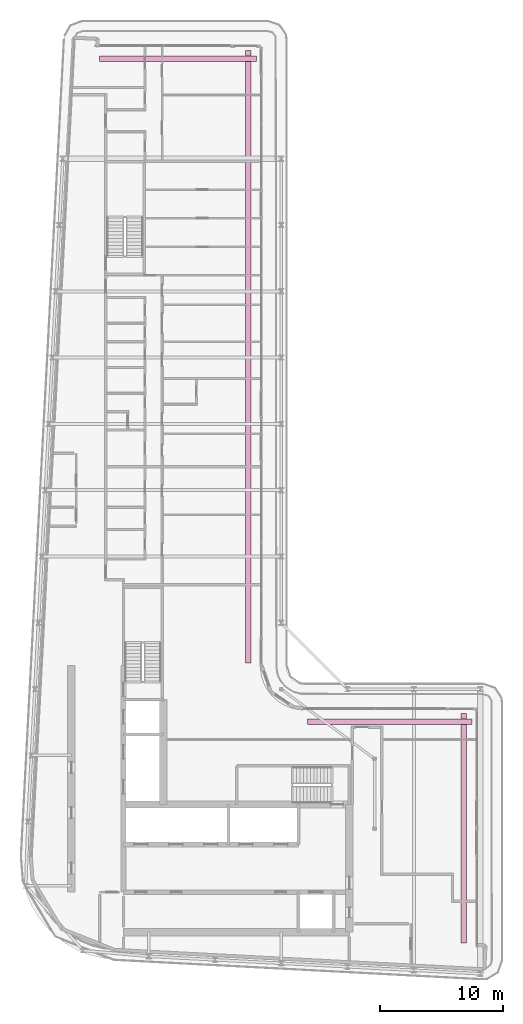
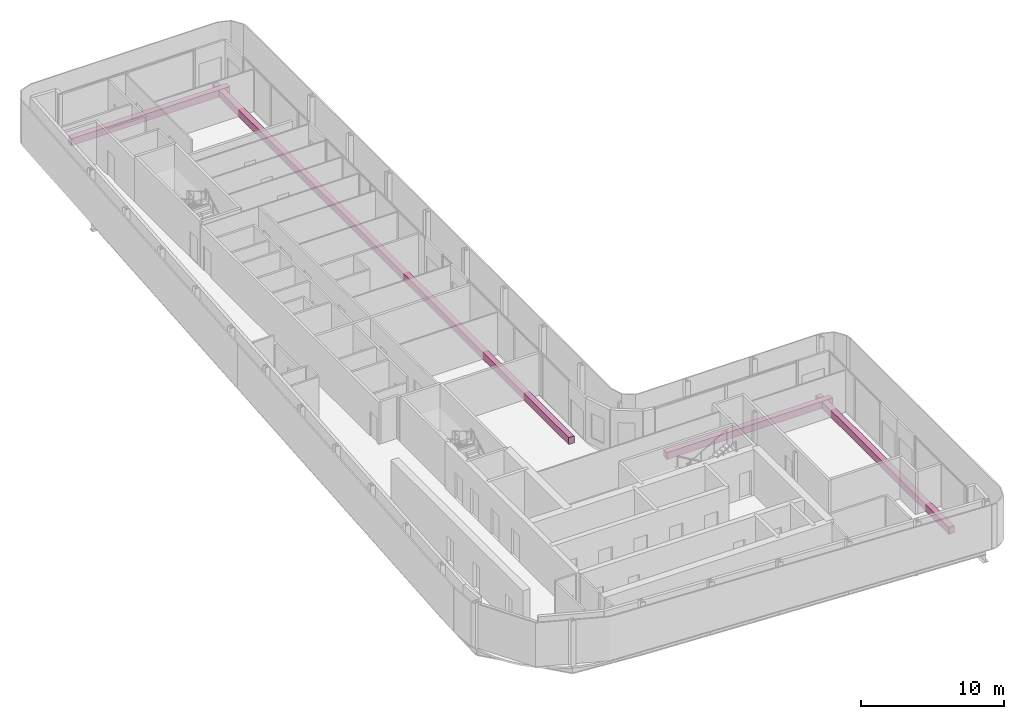
# One storey, part 21 of 21: 4 furniture elements.
"""IFC4 building model written with IfcOpenShell, lengths in metres."""

from ifc_helpers import new_model, si_unit, direction, frame, origin, origin_2d, place, context, subcontext, project, spatial, rectangle, extrude, material, type_object, element, save


model = new_model("IFC4")

# Units and contexts
model_context = context("Model", 3, precision=1e-05, world=origin(), true_north=direction((0.0, 1.0)))
body_context = subcontext(model_context, "Body", "Model", "MODEL_VIEW")
ifc_project = project(units=[si_unit("LENGTHUNIT", "METRE"), si_unit("AREAUNIT", "SQUARE_METRE"), si_unit("VOLUMEUNIT", "CUBIC_METRE"), si_unit("PLANEANGLEUNIT", "RADIAN"), si_unit("MASSUNIT", "GRAM", prefix="KILO")], contexts=[model_context])

# Site, building, storey
site_placement = place(None, origin())
site = spatial("IfcSite", under=ifc_project, at=site_placement, CompositionType="ELEMENT")
building_placement = place(site_placement, origin())
building = spatial("IfcBuilding", under=site, at=building_placement, Name="Kheshtan School and Residences Tower", CompositionType="ELEMENT")
storey_placement = place(building_placement, frame((0.0, 0.0, 278.60009765625)))
storey = spatial("IfcBuildingStorey", under=building, at=storey_placement, Name="L65", CompositionType="ELEMENT", Elevation=278.60009765625)

# Furniture
ifc_material = material(Name="Precast concrete C30/37 in terracotta finish", Category="masonry")
furniture_type = type_object("IfcFurnitureType", Name="Planter trough", AssemblyPlace="NOTDEFINED", PredefinedType="USERDEFINED", material=ifc_material)
furniture_1_placement = place(storey_placement, frame((39.196044921875, 96.925048828125, -0.000244140625), z_axis=(0.0, 0.0, 1.0), x_axis=(1.0, 0.0, 0.0)))
element("IfcFurniture", 1, at=furniture_1_placement, inside=storey, type_object=furniture_type, Name="Planter L65", ObjectType="PLANTER", PredefinedType="USERDEFINED", context=body_context, shape_type="SweptSolid", body=[
    extrude(rectangle(XDim=12.80810546875, YDim=0.449951171875, at=origin_2d()), origin(), (0.0, 0.0, 1.0), 0.60009765625),
])
furniture_2_placement = place(storey_placement, frame((44.925048828125, 72.6650390625, -0.000244140625), z_axis=(0.0, 0.0, 1.0), x_axis=(0.0, -1.0, 0.0)))
element("IfcFurniture", 2, at=furniture_2_placement, inside=storey, type_object=furniture_type, Name="Planter L65", ObjectType="PLANTER", PredefinedType="USERDEFINED", context=body_context, shape_type="SweptSolid", body=[
    extrude(rectangle(XDim=49.8701171875, YDim=0.449951171875, at=origin_2d()), origin(), (0.0, 0.0, 1.0), 0.60009765625),
])
furniture_3_placement = place(storey_placement, frame((56.43994140625, 42.925048828125, -0.000244140625), z_axis=(0.0, 0.0, 1.0), x_axis=(1.0, 0.0, 0.0)))
element("IfcFurniture", 3, at=furniture_3_placement, inside=storey, type_object=furniture_type, Name="Planter L65", ObjectType="PLANTER", PredefinedType="USERDEFINED", context=body_context, shape_type="SweptSolid", body=[
    extrude(rectangle(XDim=13.419921875, YDim=0.449951171875, at=origin_2d()), origin(), (0.0, 0.0, 1.0), 0.60009765625),
])
furniture_4_placement = place(storey_placement, frame((62.47509765625, 34.26708984375, -0.000244140625), z_axis=(0.0, 0.0, 1.0), x_axis=(0.0, -1.0, 0.0)))
element("IfcFurniture", 4, at=furniture_4_placement, inside=storey, type_object=furniture_type, Name="Planter L65", ObjectType="PLANTER", PredefinedType="USERDEFINED", context=body_context, shape_type="SweptSolid", body=[
    extrude(rectangle(XDim=18.6669921875, YDim=0.449951171875, at=origin_2d()), origin(), (0.0, 0.0, 1.0), 0.60009765625),
])

save(model, "model.ifc")
